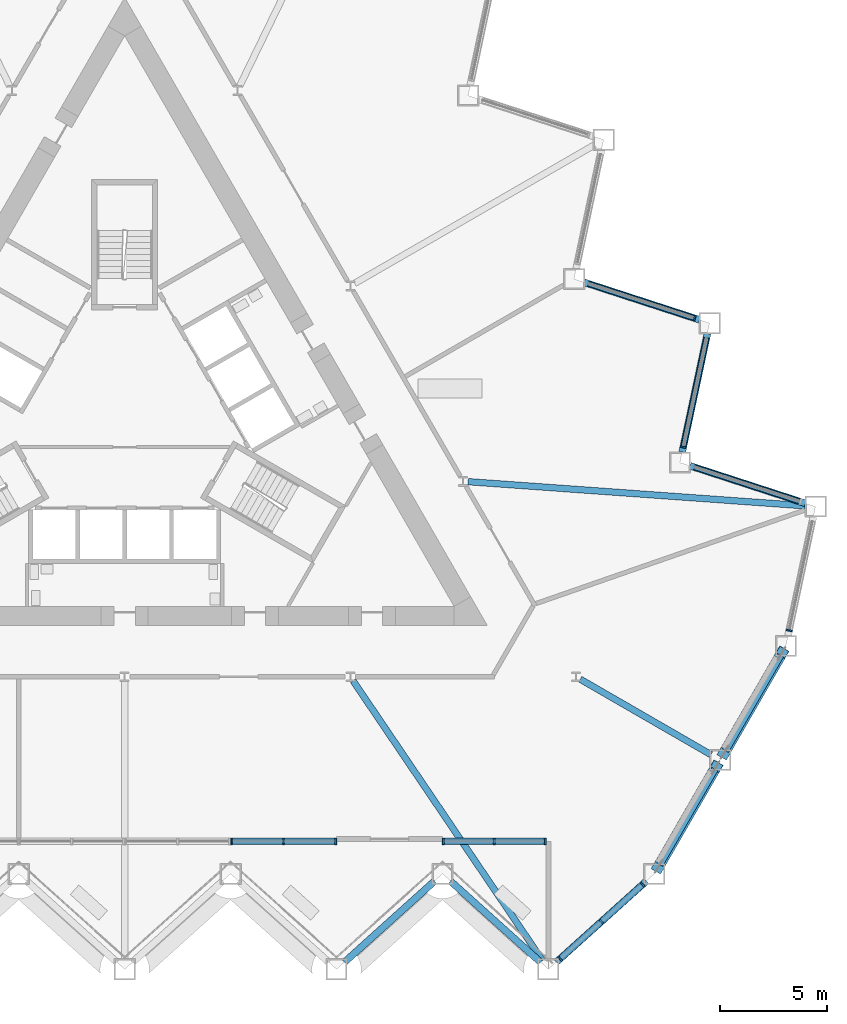
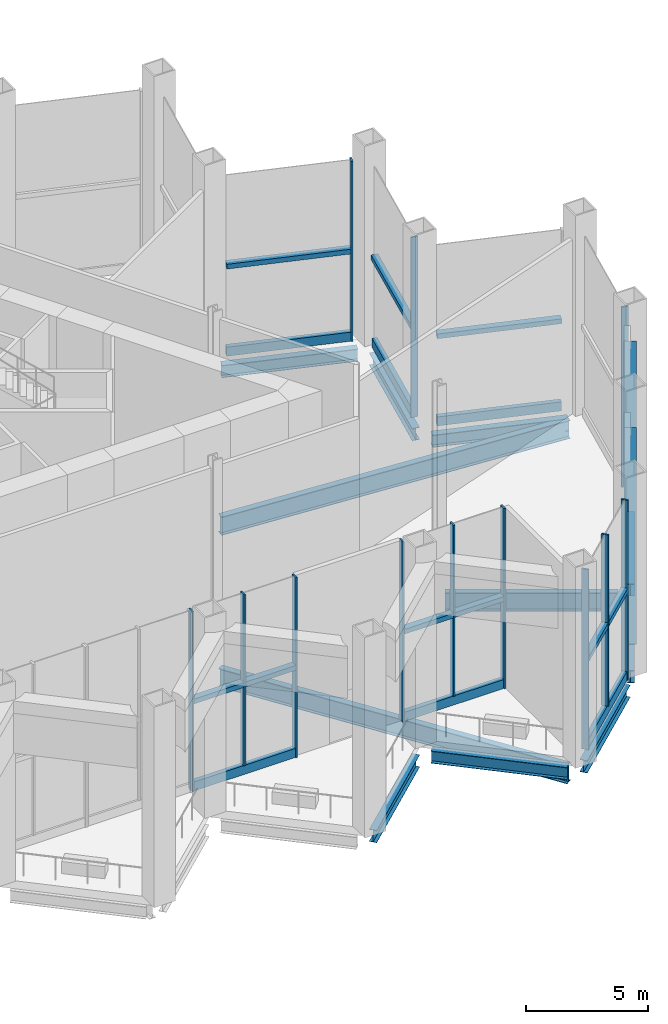
# One storey, part 3 of 17: 29 members, 11 beams, 4 elements without a shape of their own.
"""IFC4 building model written with IfcOpenShell, lengths in metres."""

from ifc_helpers import new_model, si_unit, direction, frame, origin, origin_2d, place, context, subcontext, project, spatial, rectangle, hollow_rectangle, i_section, extrude, material, layer, layer_set, material_profile, profile_set, type_object, element, aggregate, save


model = new_model("IFC4")

# Units and contexts
model_context = context("Model", 3, precision=1e-05, world=origin(), true_north=direction((0.0, 1.0)))
body_context = subcontext(model_context, "Body", "Model", "MODEL_VIEW")
ifc_project = project(units=[si_unit("LENGTHUNIT", "METRE"), si_unit("AREAUNIT", "SQUARE_METRE"), si_unit("VOLUMEUNIT", "CUBIC_METRE"), si_unit("PLANEANGLEUNIT", "RADIAN"), si_unit("MASSUNIT", "GRAM", prefix="KILO")], contexts=[model_context])

# Site, building, storey
site_placement = place(None, origin())
site = spatial("IfcSite", under=ifc_project, at=site_placement, CompositionType="ELEMENT")
building_placement = place(site_placement, origin())
building = spatial("IfcBuilding", under=site, at=building_placement, Name="Cormorant Prow Tower", CompositionType="ELEMENT")
storey_placement = place(building_placement, frame((0.0, 0.0, 84.60009765625)))
storey = spatial("IfcBuildingStorey", under=building, at=storey_placement, Name="L18", CompositionType="ELEMENT", Elevation=84.60009765625)

# Members
ifc_material_1 = material(Name="Structural steel ASTM A500 Gr C", Category="steel")
ifc_material_profile_1 = material_profile(ifc_material_1, hollow_rectangle(XDim=0.508056640625, YDim=0.508056640625, WallThickness=0.014892578125, at=origin_2d()), Name="HSS20x20x5/8")
ifc_profile_set_1 = profile_set([ifc_material_profile_1], Name="Structural steel ASTM A500 Gr C")
member_type_1 = type_object("IfcMemberType", Name="Chamfer brace HSS20x20x5/8", PredefinedType="BRACE", material=ifc_profile_set_1)
for number, where, z_axis, x_axis, name in (
    (1, (24.99951171875, -21.166748046875, 1.027099609375), (0.310448273271, 0.537716610936, 0.783889479421), (-0.866027186878, 0.499996911578, 0.0), "Chamfer brace BR1 at ESE00 L18"),
    (2, (28.08447265625, -15.82373046875, 1.027099609375), (0.310448273271, 0.537716610936, 0.783889479421), (-0.866027186878, 0.499996911578, 0.0), "Chamfer brace BR1 at ESE01 L18"),
):
    element("IfcMember", number, at=place(storey_placement, frame(where, z_axis=z_axis, x_axis=x_axis)), inside=storey, type_object=member_type_1, Name=name, PredefinedType="BRACE", context=body_context, shape_type="SweptSolid", body=[
        extrude(hollow_rectangle(XDim=0.508056640625, YDim=0.508056640625, WallThickness=0.014892578125, at=origin_2d()), origin(), (0.0, 0.0, 1.0), 8.846435546875),
    ])

# Beams
ifc_material_2 = material(Name="Structural steel ASTM A992 Gr 50", Category="steel")
ifc_material_profile_2 = material_profile(ifc_material_2, i_section(OverallWidth=0.3046875, OverallDepth=0.914794921875, WebThickness=0.0166015625, FlangeThickness=0.02587890625, at=origin_2d()), Name="W36x160")
ifc_profile_set_2 = profile_set([ifc_material_profile_2], Name="Structural steel ASTM A992 Gr 50")
beam_type_1 = type_object("IfcBeamType", Name="Radial floor beam W36x160", PredefinedType="BEAM", material=ifc_profile_set_2)
beam_1_placement = place(storey_placement, frame((10.708740234375, -12.4072265625, -0.857421875), z_axis=(0.560597160775, -0.828088656685, 0.0), x_axis=(0.828088656685, 0.560597160775, 0.0)))
element("IfcBeam", 3, at=beam_1_placement, inside=storey, type_object=beam_type_1, Name="Radial floor beam FB1 8 L18", PredefinedType="BEAM", context=body_context, shape_type="SweptSolid", body=[
    extrude(i_section(OverallWidth=0.3046875, OverallDepth=0.914794921875, WebThickness=0.0166015625, FlangeThickness=0.02587890625, at=origin_2d()), origin(), (0.0, 0.0, 1.0), 15.831787109375),
])
beam_2_placement = place(storey_placement, frame((21.358154296875, -12.3310546875, -0.857421875), z_axis=(0.866014253463, -0.500019312426, 0.0), x_axis=(0.500019312426, 0.866014253463, 0.0)))
element("IfcBeam", 4, at=beam_2_placement, inside=storey, type_object=beam_type_1, Name="Radial floor beam FB1 9 L18", PredefinedType="BEAM", context=body_context, shape_type="SweptSolid", body=[
    extrude(i_section(OverallWidth=0.3046875, OverallDepth=0.914794921875, WebThickness=0.0166015625, FlangeThickness=0.02587890625, at=origin_2d()), origin(), (0.0, 0.0, 1.0), 7.071533203125),
])
beam_3_placement = place(storey_placement, frame((16.099365234375, -3.0703125, -0.857421875), z_axis=(0.997443412532, -0.071460750045, 0.0), x_axis=(0.071460750045, 0.997443412532, 0.0)))
element("IfcBeam", 5, at=beam_3_placement, inside=storey, type_object=beam_type_1, Name="Radial floor beam FB1 10 L18", PredefinedType="BEAM", context=body_context, shape_type="SweptSolid", body=[
    extrude(i_section(OverallWidth=0.3046875, OverallDepth=0.914794921875, WebThickness=0.0166015625, FlangeThickness=0.02587890625, at=origin_2d()), origin(), (0.0, 0.0, 1.0), 15.831787109375),
])

# Curtain wall, members
ifc_material_3 = material(Name="Aluminium 6063-T6", Category="aluminium")
ifc_layer = layer(ifc_material_3, 0.300048828125)
ifc_layer_set = layer_set([ifc_layer], Name="Aluminium 6063-T6")
curtain_wall_type = type_object("IfcCurtainWallType", Name="Sky lobby unitised curtain wall 300", PredefinedType="NOTDEFINED", material=ifc_layer_set)
curtain_wall_1_placement = place(storey_placement, origin())
curtain_wall_1 = element("IfcCurtainWall", 6, at=curtain_wall_1_placement, inside=storey, type_object=curtain_wall_type, Name="Sky lobby curtain wall S09", PredefinedType="NOTDEFINED")
ifc_material_4 = material(Name="Aluminium 6063-T6", Category="aluminium")
ifc_material_profile_3 = material_profile(ifc_material_4, rectangle(XDim=0.300048828125, YDim=0.239990234375, at=origin_2d()), Name="Sky lobby intermediate transom 300x240")
ifc_profile_set_3 = profile_set([ifc_material_profile_3], Name="Aluminium 6063-T6")
member_type_2 = type_object("IfcMemberType", Name="Sky lobby intermediate transom 300x240", PredefinedType="USERDEFINED", material=ifc_profile_set_3)
member_1_placement = place(storey_placement, frame((20.446044921875, -25.407470703125, 4.494384765625), z_axis=(0.743168802943, 0.669103975726, 0.0), x_axis=(-0.669103975726, 0.743168802943, 0.0)))
member_1 = element("IfcMember", 7, at=member_1_placement, type_object=member_type_2, Name="Sky lobby intermediate transom S09", ObjectType="TRANSOM", PredefinedType="USERDEFINED", context=body_context, shape_type="SweptSolid", body=[
    extrude(rectangle(XDim=0.300048828125, YDim=0.239990234375, at=origin_2d()), origin(), (0.0, 0.0, 1.0), 2.518310546875),
])
member_2_placement = place(storey_placement, frame((22.376953125, -23.6689453125, 4.494384765625), z_axis=(0.743168802943, 0.669103975726, 0.0), x_axis=(-0.669103975726, 0.743168802943, 0.0)))
member_2 = element("IfcMember", 8, at=member_2_placement, type_object=member_type_2, Name="Sky lobby intermediate transom S09", ObjectType="TRANSOM", PredefinedType="USERDEFINED", context=body_context, shape_type="SweptSolid", body=[
    extrude(rectangle(XDim=0.300048828125, YDim=0.239990234375, at=origin_2d()), origin(), (0.0, 0.0, 1.0), 2.518310546875),
])

curtain_wall_2_placement = place(storey_placement, origin())
curtain_wall_2 = element("IfcCurtainWall", 9, at=curtain_wall_2_placement, inside=storey, type_object=curtain_wall_type, Name="Sky lobby curtain wall ENE00-ENE09", PredefinedType="NOTDEFINED")
member_3_placement = place(storey_placement, frame((31.644775390625, -3.995361328125, 4.494384765625), z_axis=(-0.951047532863, 0.309044641168, 0.0), x_axis=(-0.309044641168, -0.951047532863, 0.0)))
member_3 = element("IfcMember", 10, at=member_3_placement, type_object=member_type_2, Name="Sky lobby intermediate transom ENE00-ENE09", ObjectType="TRANSOM", PredefinedType="USERDEFINED", context=body_context, shape_type="SweptSolid", body=[
    extrude(rectangle(XDim=0.300048828125, YDim=0.239990234375, at=origin_2d()), origin(), (0.0, 0.0, 1.0), 5.196533203125),
])
member_4_placement = place(storey_placement, frame((26.19677734375, -1.406494140625, 4.494384765625), z_axis=(0.207892469327, 0.97815168619, 0.0), x_axis=(-0.97815168619, 0.207892469327, 0.0)))
member_4 = element("IfcMember", 11, at=member_4_placement, type_object=member_type_2, Name="Sky lobby intermediate transom ENE00-ENE09", ObjectType="TRANSOM", PredefinedType="USERDEFINED", context=body_context, shape_type="SweptSolid", body=[
    extrude(rectangle(XDim=0.300048828125, YDim=0.239990234375, at=origin_2d()), origin(), (0.0, 0.0, 1.0), 5.196533203125),
])
member_5_placement = place(storey_placement, frame((26.6787109375, 4.606201171875, 4.494384765625), z_axis=(-0.95106134075, 0.309002145834, 0.0), x_axis=(-0.309002145834, -0.95106134075, 0.0)))
member_5 = element("IfcMember", 12, at=member_5_placement, type_object=member_type_2, Name="Sky lobby intermediate transom ENE00-ENE09", ObjectType="TRANSOM", PredefinedType="USERDEFINED", context=body_context, shape_type="SweptSolid", body=[
    extrude(rectangle(XDim=0.300048828125, YDim=0.239990234375, at=origin_2d()), origin(), (0.0, 0.0, 1.0), 5.196533203125),
])

curtain_wall_3_placement = place(storey_placement, origin())
curtain_wall_3 = element("IfcCurtainWall", 13, at=curtain_wall_3_placement, inside=storey, type_object=curtain_wall_type, Name="Sky lobby curtain wall loggia S06", PredefinedType="NOTDEFINED")
member_6_placement = place(storey_placement, frame((5.046142578125, -19.931396484375, 4.494384765625), z_axis=(1.0, 0.0, 0.0), x_axis=(0.0, 1.0, 0.0)))
member_6 = element("IfcMember", 14, at=member_6_placement, type_object=member_type_2, Name="Sky lobby intermediate transom loggia S06", ObjectType="TRANSOM", PredefinedType="USERDEFINED", context=body_context, shape_type="SweptSolid", body=[
    extrude(rectangle(XDim=0.300048828125, YDim=0.239990234375, at=origin_2d()), origin(), (0.0, 0.0, 1.0), 2.363037109375),
])
member_7_placement = place(storey_placement, frame((7.489013671875, -19.931396484375, 4.494384765625), z_axis=(1.0, 0.0, 0.0), x_axis=(0.0, 1.0, 0.0)))
member_7 = element("IfcMember", 15, at=member_7_placement, type_object=member_type_2, Name="Sky lobby intermediate transom loggia S06", ObjectType="TRANSOM", PredefinedType="USERDEFINED", context=body_context, shape_type="SweptSolid", body=[
    extrude(rectangle(XDim=0.300048828125, YDim=0.239990234375, at=origin_2d()), origin(), (0.0, 0.0, 1.0), 2.363037109375),
])

curtain_wall_4_placement = place(storey_placement, origin())
curtain_wall_4 = element("IfcCurtainWall", 16, at=curtain_wall_4_placement, inside=storey, type_object=curtain_wall_type, Name="Sky lobby curtain wall loggia S08", PredefinedType="NOTDEFINED")
member_8_placement = place(storey_placement, frame((14.978271484375, -19.931396484375, 4.494384765625), z_axis=(1.0, 0.0, 0.0), x_axis=(0.0, 1.0, 0.0)))
member_8 = element("IfcMember", 17, at=member_8_placement, type_object=member_type_2, Name="Sky lobby intermediate transom loggia S08", ObjectType="TRANSOM", PredefinedType="USERDEFINED", context=body_context, shape_type="SweptSolid", body=[
    extrude(rectangle(XDim=0.300048828125, YDim=0.239990234375, at=origin_2d()), origin(), (0.0, 0.0, 1.0), 2.307861328125),
])
member_9_placement = place(storey_placement, frame((17.3662109375, -19.931396484375, 4.494384765625), z_axis=(1.0, 0.0, 0.0), x_axis=(0.0, 1.0, 0.0)))
member_9 = element("IfcMember", 18, at=member_9_placement, type_object=member_type_2, Name="Sky lobby intermediate transom loggia S08", ObjectType="TRANSOM", PredefinedType="USERDEFINED", context=body_context, shape_type="SweptSolid", body=[
    extrude(rectangle(XDim=0.300048828125, YDim=0.239990234375, at=origin_2d()), origin(), (0.0, 0.0, 1.0), 2.30810546875),
])

# Member
ifc_material_5 = material(Name="Aluminium 6063-T6", Category="aluminium")
ifc_material_profile_4 = material_profile(ifc_material_5, rectangle(XDim=0.300048828125, YDim=0.080078125, at=origin_2d()), Name="Sky lobby mullion 80x300")
ifc_profile_set_4 = profile_set([ifc_material_profile_4], Name="Aluminium 6063-T6")
member_type_3 = type_object("IfcMemberType", Name="Sky lobby mullion 80x300", PredefinedType="MULLION", material=ifc_profile_set_4)
member_10_placement = place(storey_placement, frame((20.41650390625, -25.434326171875, 0.0), z_axis=(0.0, 0.0, 1.0), x_axis=(-0.669130555788, 0.743144871012, 0.0)))
member_10 = element("IfcMember", 19, at=member_10_placement, type_object=member_type_3, Name="Sky lobby mullion S09", PredefinedType="MULLION", context=body_context, shape_type="SweptSolid", body=[
    extrude(rectangle(XDim=0.300048828125, YDim=0.080078125, at=origin_2d()), origin(), (0.0, 0.0, 1.0), 8.98876953125),
])

member_11_placement = place(storey_placement, frame((22.347412109375, -23.695556640625, 0.449951171875), z_axis=(0.0, 0.0, 1.0), x_axis=(-0.669130555788, 0.743144871012, 0.0)))
member_11 = element("IfcMember", 20, at=member_11_placement, type_object=member_type_3, Name="Sky lobby mullion S09", PredefinedType="MULLION", context=body_context, shape_type="SweptSolid", body=[
    extrude(rectangle(XDim=0.300048828125, YDim=0.080078125, at=origin_2d()), origin(), (0.0, 0.0, 1.0), 8.538818359375),
])

member_12_placement = place(storey_placement, frame((24.278076171875, -21.95703125, 0.0), z_axis=(0.0, 0.0, 1.0), x_axis=(-0.669130555788, 0.743144871012, 0.0)))
member_12 = element("IfcMember", 21, at=member_12_placement, type_object=member_type_3, Name="Sky lobby mullion S09", PredefinedType="MULLION", context=body_context, shape_type="SweptSolid", body=[
    extrude(rectangle(XDim=0.300048828125, YDim=0.080078125, at=origin_2d()), origin(), (0.0, 0.0, 1.0), 8.98876953125),
])

member_13_placement = place(storey_placement, frame((31.154541015625, -10.046875, 0.0), z_axis=(0.0, 0.0, 1.0), x_axis=(-0.978147590127, 0.207911740719, 0.0)))
member_13 = element("IfcMember", 22, at=member_13_placement, type_object=member_type_3, Name="Sky lobby mullion ENE00-ENE09", PredefinedType="MULLION", context=body_context, shape_type="SweptSolid", body=[
    extrude(rectangle(XDim=0.300048828125, YDim=0.080078125, at=origin_2d()), origin(), (0.0, 0.0, 1.0), 8.98876953125),
])

member_14_placement = place(storey_placement, frame((26.1884765625, -1.445556640625, 0.0), z_axis=(0.0, 0.0, 1.0), x_axis=(-0.978147590127, 0.207911740719, 0.0)))
member_14 = element("IfcMember", 23, at=member_14_placement, type_object=member_type_3, Name="Sky lobby mullion ENE00-ENE09", PredefinedType="MULLION", context=body_context, shape_type="SweptSolid", body=[
    extrude(rectangle(XDim=0.300048828125, YDim=0.080078125, at=origin_2d()), origin(), (0.0, 0.0, 1.0), 8.98876953125),
])

member_15_placement = place(storey_placement, frame((26.716552734375, 4.59375, 0.0), z_axis=(0.0, 0.0, 1.0), x_axis=(-0.309016952512, -0.951056529897, 0.0)))
member_15 = element("IfcMember", 24, at=member_15_placement, type_object=member_type_3, Name="Sky lobby mullion ENE00-ENE09", PredefinedType="MULLION", context=body_context, shape_type="SweptSolid", body=[
    extrude(rectangle(XDim=0.300048828125, YDim=0.080078125, at=origin_2d()), origin(), (0.0, 0.0, 1.0), 8.98876953125),
])

member_16_placement = place(storey_placement, frame((5.006103515625, -19.931396484375, 0.0), z_axis=(0.0, 0.0, 1.0), x_axis=(0.0, 1.0, 0.0)))
member_16 = element("IfcMember", 25, at=member_16_placement, type_object=member_type_3, Name="Sky lobby mullion loggia S06", PredefinedType="MULLION", context=body_context, shape_type="SweptSolid", body=[
    extrude(rectangle(XDim=0.300048828125, YDim=0.080078125, at=origin_2d()), origin(), (0.0, 0.0, 1.0), 8.98876953125),
])

member_17_placement = place(storey_placement, frame((7.44921875, -19.931396484375, 0.449951171875), z_axis=(0.0, 0.0, 1.0), x_axis=(0.0, 1.0, 0.0)))
member_17 = element("IfcMember", 26, at=member_17_placement, type_object=member_type_3, Name="Sky lobby mullion loggia S06", PredefinedType="MULLION", context=body_context, shape_type="SweptSolid", body=[
    extrude(rectangle(XDim=0.300048828125, YDim=0.080078125, at=origin_2d()), origin(), (0.0, 0.0, 1.0), 8.538818359375),
])

member_18_placement = place(storey_placement, frame((9.89208984375, -19.931396484375, 0.0), z_axis=(0.0, 0.0, 1.0), x_axis=(0.0, 1.0, 0.0)))
member_18 = element("IfcMember", 27, at=member_18_placement, type_object=member_type_3, Name="Sky lobby mullion loggia S06", PredefinedType="MULLION", context=body_context, shape_type="SweptSolid", body=[
    extrude(rectangle(XDim=0.300048828125, YDim=0.080078125, at=origin_2d()), origin(), (0.0, 0.0, 1.0), 8.98876953125),
])

member_19_placement = place(storey_placement, frame((14.938232421875, -19.931396484375, 0.0), z_axis=(0.0, 0.0, 1.0), x_axis=(0.0, 1.0, 0.0)))
member_19 = element("IfcMember", 28, at=member_19_placement, type_object=member_type_3, Name="Sky lobby mullion loggia S08", PredefinedType="MULLION", context=body_context, shape_type="SweptSolid", body=[
    extrude(rectangle(XDim=0.300048828125, YDim=0.080078125, at=origin_2d()), origin(), (0.0, 0.0, 1.0), 8.98876953125),
])

member_20_placement = place(storey_placement, frame((17.326171875, -19.931396484375, 0.449951171875), z_axis=(0.0, 0.0, 1.0), x_axis=(0.0, 1.0, 0.0)))
member_20 = element("IfcMember", 29, at=member_20_placement, type_object=member_type_3, Name="Sky lobby mullion loggia S08", PredefinedType="MULLION", context=body_context, shape_type="SweptSolid", body=[
    extrude(rectangle(XDim=0.300048828125, YDim=0.080078125, at=origin_2d()), origin(), (0.0, 0.0, 1.0), 8.538818359375),
])

member_21_placement = place(storey_placement, frame((19.71435546875, -19.931396484375, 0.0), z_axis=(0.0, 0.0, 1.0), x_axis=(0.0, 1.0, 0.0)))
member_21 = element("IfcMember", 30, at=member_21_placement, type_object=member_type_3, Name="Sky lobby mullion loggia S08", PredefinedType="MULLION", context=body_context, shape_type="SweptSolid", body=[
    extrude(rectangle(XDim=0.300048828125, YDim=0.080078125, at=origin_2d()), origin(), (0.0, 0.0, 1.0), 8.98876953125),
])

ifc_material_6 = material(Name="Terracotta", Category="masonry")
ifc_material_profile_5 = material_profile(ifc_material_6, rectangle(XDim=0.219970703125, YDim=0.449951171875, at=origin_2d()), Name="Sky lobby terracotta spandrel rail 220x450")
ifc_profile_set_5 = profile_set([ifc_material_profile_5], Name="Terracotta")
member_type_4 = type_object("IfcMemberType", Name="Sky lobby terracotta spandrel rail 220x450", PredefinedType="USERDEFINED", material=ifc_profile_set_5)
member_22_placement = place(storey_placement, frame((20.446044921875, -25.407470703125, 0.224853515625), z_axis=(0.743163640366, 0.669109709717, 0.0), x_axis=(-0.669109709717, 0.743163640366, 0.0)))
member_22 = element("IfcMember", 31, at=member_22_placement, type_object=member_type_4, Name="Sky lobby spandrel rail S09", ObjectType="TRANSOM", PredefinedType="USERDEFINED", context=body_context, shape_type="SweptSolid", body=[
    extrude(rectangle(XDim=0.219970703125, YDim=0.449951171875, at=origin_2d()), origin(), (0.0, 0.0, 1.0), 5.11669921875),
])

aggregate(curtain_wall_1, [member_10, member_11, member_12, member_22, member_1, member_2])

member_23_placement = place(storey_placement, frame((31.644775390625, -3.995361328125, 0.224853515625), z_axis=(-0.951047532863, 0.309044641168, 0.0), x_axis=(-0.309044641168, -0.951047532863, 0.0)))
member_23 = element("IfcMember", 32, at=member_23_placement, type_object=member_type_4, Name="Sky lobby spandrel rail ENE00-ENE09", ObjectType="TRANSOM", PredefinedType="USERDEFINED", context=body_context, shape_type="SweptSolid", body=[
    extrude(rectangle(XDim=0.219970703125, YDim=0.449951171875, at=origin_2d()), origin(), (0.0, 0.0, 1.0), 5.196533203125),
])

member_24_placement = place(storey_placement, frame((26.19677734375, -1.406494140625, 0.224853515625), z_axis=(0.207892469327, 0.97815168619, 0.0), x_axis=(-0.97815168619, 0.207892469327, 0.0)))
member_24 = element("IfcMember", 33, at=member_24_placement, type_object=member_type_4, Name="Sky lobby spandrel rail ENE00-ENE09", ObjectType="TRANSOM", PredefinedType="USERDEFINED", context=body_context, shape_type="SweptSolid", body=[
    extrude(rectangle(XDim=0.219970703125, YDim=0.449951171875, at=origin_2d()), origin(), (0.0, 0.0, 1.0), 5.196533203125),
])

member_25_placement = place(storey_placement, frame((26.6787109375, 4.606201171875, 0.224853515625), z_axis=(-0.95106134075, 0.309002145834, 0.0), x_axis=(-0.309002145834, -0.95106134075, 0.0)))
member_25 = element("IfcMember", 34, at=member_25_placement, type_object=member_type_4, Name="Sky lobby spandrel rail ENE00-ENE09", ObjectType="TRANSOM", PredefinedType="USERDEFINED", context=body_context, shape_type="SweptSolid", body=[
    extrude(rectangle(XDim=0.219970703125, YDim=0.449951171875, at=origin_2d()), origin(), (0.0, 0.0, 1.0), 5.196533203125),
])

aggregate(curtain_wall_2, [member_13, member_23, member_3, member_14, member_24, member_4, member_15, member_25, member_5])

member_26_placement = place(storey_placement, frame((5.046142578125, -19.931396484375, 0.224853515625), z_axis=(1.0, 0.0, 0.0), x_axis=(0.0, 1.0, 0.0)))
member_26 = element("IfcMember", 35, at=member_26_placement, type_object=member_type_4, Name="Sky lobby spandrel rail loggia S06", ObjectType="TRANSOM", PredefinedType="USERDEFINED", context=body_context, shape_type="SweptSolid", body=[
    extrude(rectangle(XDim=0.219970703125, YDim=0.449951171875, at=origin_2d()), origin(), (0.0, 0.0, 1.0), 4.805908203125),
])

aggregate(curtain_wall_3, [member_16, member_17, member_18, member_26, member_6, member_7])

member_27_placement = place(storey_placement, frame((14.978271484375, -19.931396484375, 0.224853515625), z_axis=(1.0, 0.0, 0.0), x_axis=(0.0, 1.0, 0.0)))
member_27 = element("IfcMember", 36, at=member_27_placement, type_object=member_type_4, Name="Sky lobby spandrel rail loggia S08", ObjectType="TRANSOM", PredefinedType="USERDEFINED", context=body_context, shape_type="SweptSolid", body=[
    extrude(rectangle(XDim=0.219970703125, YDim=0.449951171875, at=origin_2d()), origin(), (0.0, 0.0, 1.0), 4.696044921875),
])

aggregate(curtain_wall_4, [member_19, member_20, member_21, member_27, member_8, member_9])

# Beams
ifc_material_7 = material(Name="Structural steel ASTM A992 Gr 50", Category="steel")
ifc_material_profile_6 = material_profile(ifc_material_7, i_section(OverallWidth=0.32373046875, OverallDepth=0.611083984375, WebThickness=0.0126953125, FlangeThickness=0.01904296875, at=origin_2d()), Name="W24x104")
ifc_profile_set_6 = profile_set([ifc_material_profile_6], Name="Structural steel ASTM A992 Gr 50")
beam_type_2 = type_object("IfcBeamType", Name="Spandrel beam W24x104", PredefinedType="SPANDREL", material=ifc_profile_set_6)
for number, where, z_axis, x_axis, name in (
    (37, (10.3037109375, -25.596923828125, -0.70556640625), (0.743129630386, 0.669147481833, 0.0), (-0.669147481833, 0.743129630386, 0.0), "Spandrel beam SB1 S07-S08 L18"),
    (38, (15.269775390625, -21.79443359375, -0.70556640625), (0.743129630386, -0.669147481833, 0.0), (0.669147481833, 0.743129630386, 0.0), "Spandrel beam SB1 S08-S09 L18"),
    (39, (20.23583984375, -25.596923828125, -0.70556640625), (0.743129630386, 0.669147481833, 0.0), (-0.669147481833, 0.743129630386, 0.0), "Spandrel beam SB1 S09-ESE00 L18"),
):
    element("IfcBeam", number, at=place(storey_placement, frame(where, z_axis=z_axis, x_axis=x_axis)), inside=storey, type_object=beam_type_2, Name=name, PredefinedType="SPANDREL", context=body_context, shape_type="SweptSolid", body=[
        extrude(i_section(OverallWidth=0.32373046875, OverallDepth=0.611083984375, WebThickness=0.0126953125, FlangeThickness=0.01904296875, at=origin_2d()), origin(), (0.0, 0.0, 1.0), 5.6826171875),
    ])
for number, where, z_axis, x_axis, name in (
    (40, (25.080322265625, -21.02685546875, -0.70556640625), (0.500019507279, 0.866014140959, 0.0), (-0.866014140959, 0.500019507279, 0.0), "Spandrel beam SB1 ESE00-ESE01 L18"),
    (41, (28.165283203125, -15.683837890625, -0.70556640625), (0.49998408811, 0.866034590324, 0.0), (-0.866034590324, 0.49998408811, 0.0), "Spandrel beam SB1 ESE01-ENE00 L18"),
):
    element("IfcBeam", number, at=place(storey_placement, frame(where, z_axis=z_axis, x_axis=x_axis)), inside=storey, type_object=beam_type_2, Name=name, PredefinedType="SPANDREL", context=body_context, shape_type="SweptSolid", body=[
        extrude(i_section(OverallWidth=0.32373046875, OverallDepth=0.611083984375, WebThickness=0.0126953125, FlangeThickness=0.01904296875, at=origin_2d()), origin(), (0.0, 0.0, 1.0), 5.169677734375),
    ])
beam_4_placement = place(storey_placement, frame((31.913818359375, -4.082763671875, -0.70556640625), z_axis=(-0.951049222751, 0.309039440696, 0.0), x_axis=(-0.309039440696, -0.951049222751, 0.0)))
element("IfcBeam", 42, at=beam_4_placement, inside=storey, type_object=beam_type_2, Name="Spandrel beam SB1 ENE01-ENE02 L18", PredefinedType="SPANDREL", context=body_context, shape_type="SweptSolid", body=[
    extrude(i_section(OverallWidth=0.32373046875, OverallDepth=0.611083984375, WebThickness=0.0126953125, FlangeThickness=0.01904296875, at=origin_2d()), origin(), (0.0, 0.0, 1.0), 5.682373046875),
])
beam_5_placement = place(storey_placement, frame((26.137939453125, -1.68310546875, -0.70556640625), z_axis=(0.207900376723, 0.97815000555, 0.0), x_axis=(-0.97815000555, 0.207900376723, 0.0)))
element("IfcBeam", 43, at=beam_5_placement, inside=storey, type_object=beam_type_2, Name="Spandrel beam SB1 ENE02-ENE03 L18", PredefinedType="SPANDREL", context=body_context, shape_type="SweptSolid", body=[
    extrude(i_section(OverallWidth=0.32373046875, OverallDepth=0.611083984375, WebThickness=0.0126953125, FlangeThickness=0.01904296875, at=origin_2d()), origin(), (0.0, 0.0, 1.0), 5.6826171875),
])
beam_6_placement = place(storey_placement, frame((26.94775390625, 4.518798828125, -0.70556640625), z_axis=(-0.951061849722, 0.309000579292, 0.0), x_axis=(-0.309000579292, -0.951061849722, 0.0)))
element("IfcBeam", 44, at=beam_6_placement, inside=storey, type_object=beam_type_2, Name="Spandrel beam SB1 ENE03-ENE04 L18", PredefinedType="SPANDREL", context=body_context, shape_type="SweptSolid", body=[
    extrude(i_section(OverallWidth=0.32373046875, OverallDepth=0.611083984375, WebThickness=0.0126953125, FlangeThickness=0.01904296875, at=origin_2d()), origin(), (0.0, 0.0, 1.0), 5.682373046875),
])

save(model, "model.ifc")
